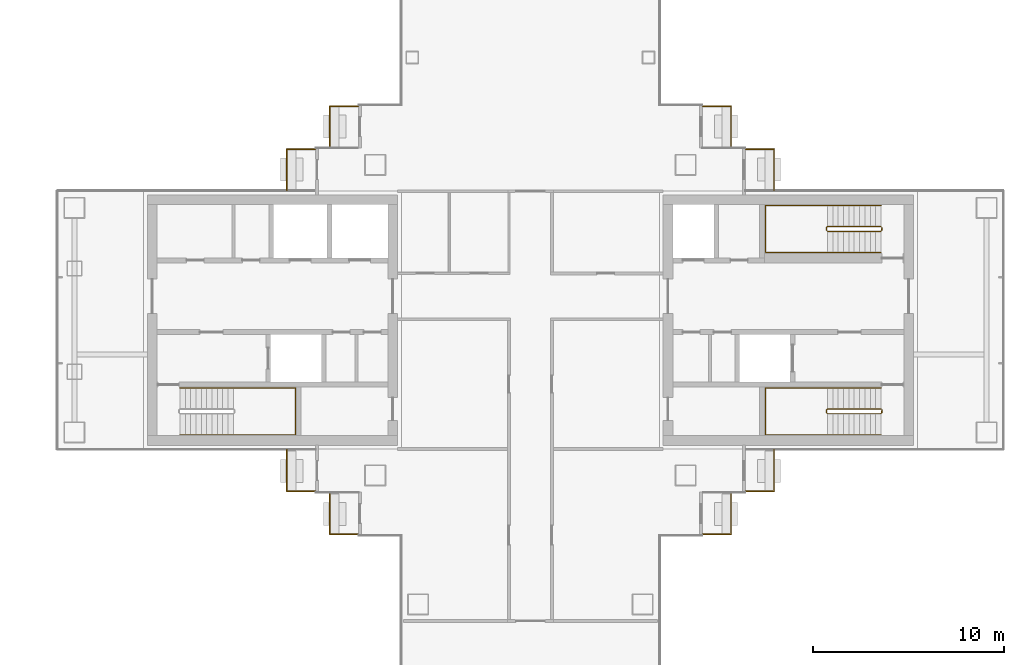
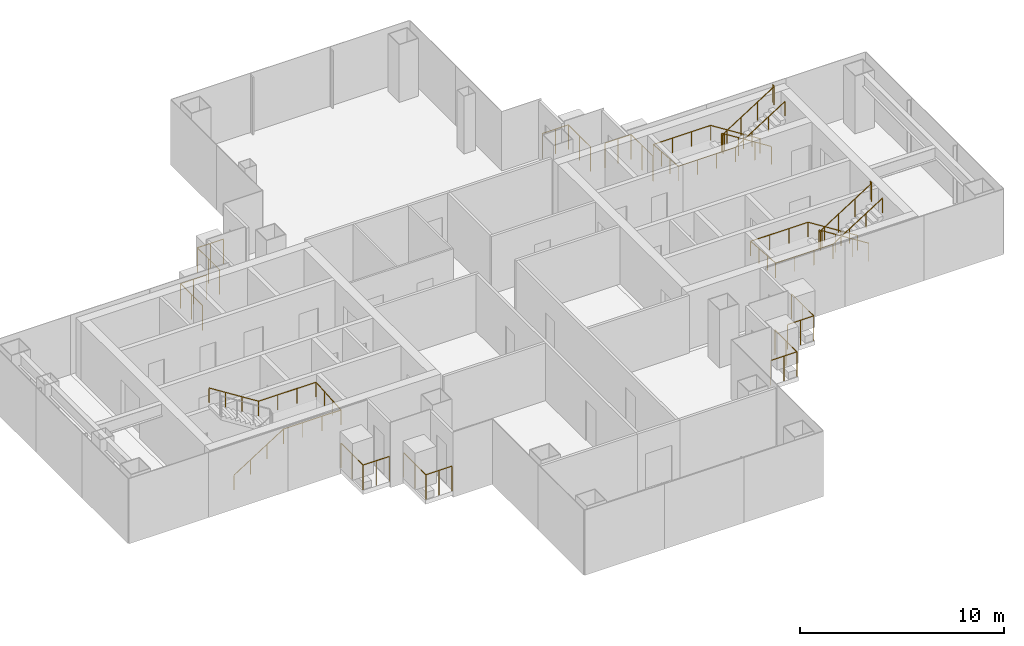
# One storey, part 16 of 17: 13 railings.
"""IFC4 building model written with IfcOpenShell, lengths in metres."""

from ifc_helpers import new_model, si_unit, direction, frame, origin, origin_2d, place, context, subcontext, project, spatial, circle, extrude, material, type_object, element, save


model = new_model("IFC4")

# Units and contexts
model_context = context("Model", 3, precision=1e-05, world=origin(), true_north=direction((0.0, 1.0)))
body_context = subcontext(model_context, "Body", "Model", "MODEL_VIEW")
ifc_project = project(units=[si_unit("LENGTHUNIT", "METRE"), si_unit("AREAUNIT", "SQUARE_METRE"), si_unit("VOLUMEUNIT", "CUBIC_METRE"), si_unit("PLANEANGLEUNIT", "RADIAN"), si_unit("MASSUNIT", "GRAM", prefix="KILO")], contexts=[model_context])

# Site, building, storey
site_placement = place(None, origin())
site = spatial("IfcSite", under=ifc_project, at=site_placement, CompositionType="ELEMENT")
building_placement = place(site_placement, origin())
building = spatial("IfcBuilding", under=site, at=building_placement, Name="Shamsa Quay Exchange Towers", CompositionType="ELEMENT")
storey_placement = place(building_placement, frame((0.0, 0.0, 174.0)))
storey = spatial("IfcBuildingStorey", under=building, at=storey_placement, Name="L41", CompositionType="ELEMENT", Elevation=174.0)

# Railings
ifc_material_1 = material(Name="Steel S355, black powder-coated", Category="steel")
railing_type_1 = type_object("IfcRailingType", Name="BALCONY GUARD 1500", PredefinedType="GUARDRAIL", material=ifc_material_1)
for number, where, name in (
    (1, (24.72900390625, 11.199951171875, 0.0), "Balcony guard T2-PKEN L41"),
    (2, (22.47900390625, 8.949951171875, 0.0), "Balcony guard T2-PKEN L41"),
):
    element("IfcRailing", number, at=place(storey_placement, frame(where)), inside=storey, type_object=railing_type_1, Name=name, PredefinedType="GUARDRAIL", context=body_context, shape_type="SweptSolid", body=[
        extrude(circle(Radius=0.02392578125, at=origin_2d()), frame((0.0, 0.0, 1.47607421875), z_axis=(-1.0, 0.0, 0.0), x_axis=(0.0, -1.0, 0.0)), (0.0, 0.0, 1.0), 1.47900390625),
        extrude(circle(Radius=0.02392578125, at=origin_2d()), frame((-1.47900390625, 0.0, 1.47607421875), z_axis=(0.0, -1.0, 0.0), x_axis=(1.0, 0.0, 0.0)), (0.0, 0.0, 1.0), 2.161865234375),
        extrude(circle(Radius=0.02099609375, at=origin_2d()), origin(), (0.0, 0.0, 1.0), 1.451904296875),
        extrude(circle(Radius=0.02099609375, at=origin_2d()), frame((-0.739501953125, 0.0, 0.0)), (0.0, 0.0, 1.0), 1.451904296875),
        extrude(circle(Radius=0.02099609375, at=origin_2d()), frame((-1.47900390625, 0.0, 0.0)), (0.0, 0.0, 1.0), 1.451904296875),
        extrude(circle(Radius=0.02099609375, at=origin_2d()), frame((-1.47900390625, -1.0810546875, 0.0)), (0.0, 0.0, 1.0), 1.451904296875),
        extrude(circle(Radius=0.02099609375, at=origin_2d()), frame((-1.47900390625, -2.161865234375, 0.0)), (0.0, 0.0, 1.0), 1.451904296875),
    ])
for number, where, name in (
    (3, (44.25, 9.0380859375, 0.0), "Balcony guard T2-PKES L41"),
    (4, (46.5, 6.7880859375, 0.0), "Balcony guard T2-PKES L41"),
):
    element("IfcRailing", number, at=place(storey_placement, frame(where)), inside=storey, type_object=railing_type_1, Name=name, PredefinedType="GUARDRAIL", context=body_context, shape_type="SweptSolid", body=[
        extrude(circle(Radius=0.02392578125, at=origin_2d()), frame((0.0, 0.0, 1.47607421875), z_axis=(0.0, 1.0, 0.0), x_axis=(-1.0, 0.0, 0.0)), (0.0, 0.0, 1.0), 2.161865234375),
        extrude(circle(Radius=0.02392578125, at=origin_2d()), frame((0.0, 2.161865234375, 1.47607421875), z_axis=(-1.0, 0.0, 0.0), x_axis=(0.0, -1.0, 0.0)), (0.0, 0.0, 1.0), 1.47900390625),
        extrude(circle(Radius=0.02099609375, at=origin_2d()), origin(), (0.0, 0.0, 1.0), 1.451904296875),
        extrude(circle(Radius=0.02099609375, at=origin_2d()), frame((0.0, 1.0810546875, 0.0)), (0.0, 0.0, 1.0), 1.451904296875),
        extrude(circle(Radius=0.02099609375, at=origin_2d()), frame((0.0, 2.161865234375, 0.0)), (0.0, 0.0, 1.0), 1.451904296875),
        extrude(circle(Radius=0.02099609375, at=origin_2d()), frame((-0.739501953125, 2.161865234375, 0.0)), (0.0, 0.0, 1.0), 1.451904296875),
        extrude(circle(Radius=0.02099609375, at=origin_2d()), frame((-1.47900390625, 2.161865234375, 0.0)), (0.0, 0.0, 1.0), 1.451904296875),
    ])
for number, where, name in (
    (5, (21.0, -6.7880859375, 0.0), "Balcony guard T2-PKWN L41"),
    (6, (23.25, -9.0380859375, 0.0), "Balcony guard T2-PKWN L41"),
):
    element("IfcRailing", number, at=place(storey_placement, frame(where)), inside=storey, type_object=railing_type_1, Name=name, PredefinedType="GUARDRAIL", context=body_context, shape_type="SweptSolid", body=[
        extrude(circle(Radius=0.02392578125, at=origin_2d()), frame((0.0, 0.0, 1.47607421875), z_axis=(0.0, -1.0, 0.0), x_axis=(1.0, 0.0, 0.0)), (0.0, 0.0, 1.0), 2.161865234375),
        extrude(circle(Radius=0.02392578125, at=origin_2d()), frame((0.0, -2.161865234375, 1.47607421875), z_axis=(1.0, 0.0, 0.0), x_axis=(0.0, 1.0, 0.0)), (0.0, 0.0, 1.0), 1.47900390625),
        extrude(circle(Radius=0.02099609375, at=origin_2d()), origin(), (0.0, 0.0, 1.0), 1.451904296875),
        extrude(circle(Radius=0.02099609375, at=origin_2d()), frame((0.0, -1.0810546875, 0.0)), (0.0, 0.0, 1.0), 1.451904296875),
        extrude(circle(Radius=0.02099609375, at=origin_2d()), frame((0.0, -2.161865234375, 0.0)), (0.0, 0.0, 1.0), 1.451904296875),
        extrude(circle(Radius=0.02099609375, at=origin_2d()), frame((0.739501953125, -2.161865234375, 0.0)), (0.0, 0.0, 1.0), 1.451904296875),
        extrude(circle(Radius=0.02099609375, at=origin_2d()), frame((1.47900390625, -2.161865234375, 0.0)), (0.0, 0.0, 1.0), 1.451904296875),
    ])
for number, where, name in (
    (7, (42.77099609375, -11.199951171875, 0.0), "Balcony guard T2-PKWS L41"),
    (8, (45.02099609375, -8.949951171875, 0.0), "Balcony guard T2-PKWS L41"),
):
    element("IfcRailing", number, at=place(storey_placement, frame(where)), inside=storey, type_object=railing_type_1, Name=name, PredefinedType="GUARDRAIL", context=body_context, shape_type="SweptSolid", body=[
        extrude(circle(Radius=0.02392578125, at=origin_2d()), frame((0.0, 0.0, 1.47607421875), z_axis=(1.0, 0.0, 0.0), x_axis=(0.0, 1.0, 0.0)), (0.0, 0.0, 1.0), 1.47900390625),
        extrude(circle(Radius=0.02392578125, at=origin_2d()), frame((1.47900390625, 0.0, 1.47607421875), z_axis=(0.0, 1.0, 0.0), x_axis=(-1.0, 0.0, 0.0)), (0.0, 0.0, 1.0), 2.161865234375),
        extrude(circle(Radius=0.02099609375, at=origin_2d()), origin(), (0.0, 0.0, 1.0), 1.451904296875),
        extrude(circle(Radius=0.02099609375, at=origin_2d()), frame((0.739501953125, 0.0, 0.0)), (0.0, 0.0, 1.0), 1.451904296875),
        extrude(circle(Radius=0.02099609375, at=origin_2d()), frame((1.47900390625, 0.0, 0.0)), (0.0, 0.0, 1.0), 1.451904296875),
        extrude(circle(Radius=0.02099609375, at=origin_2d()), frame((1.47900390625, 1.0810546875, 0.0)), (0.0, 0.0, 1.0), 1.451904296875),
        extrude(circle(Radius=0.02099609375, at=origin_2d()), frame((1.47900390625, 2.161865234375, 0.0)), (0.0, 0.0, 1.0), 1.451904296875),
    ])
ifc_material_2 = material(Name="Stainless steel", Category="steel")
railing_type_2 = type_object("IfcRailingType", Name="STAIR GUARD 1100", PredefinedType="GUARDRAIL", material=ifc_material_2)
railing_1_placement = place(storey_placement, frame((52.10009765625, -4.64990234375, 0.17724609375)))
element("IfcRailing", 9, at=railing_1_placement, inside=storey, type_object=railing_type_2, Name="L41 ST5 stair guard 1", PredefinedType="GUARDRAIL", context=body_context, shape_type="SweptSolid", body=[
    extrude(circle(Radius=0.02392578125, at=origin_2d()), frame((0.0, 0.0, 1.076171875), z_axis=(-0.844908973607, 0.0, 0.534910110503), x_axis=(0.0, -1.0, 0.0)), (0.0, 0.0, 1.0), 3.31396484375),
    extrude(circle(Radius=0.02392578125, at=origin_2d()), frame((-2.800048828125, 0.0, 2.8486328125), z_axis=(-0.707106781187, -0.707106781187, 0.0), x_axis=(0.707106781187, -0.707106781187, 0.0)), (0.0, 0.0, 1.0), 0.07080078125),
    extrude(circle(Radius=0.02392578125, at=origin_2d()), frame((-2.85009765625, -0.050048828125, 2.8486328125), z_axis=(0.0, -1.0, 0.0), x_axis=(1.0, 0.0, 0.0)), (0.0, 0.0, 1.0), 0.150146484375),
    extrude(circle(Radius=0.02392578125, at=origin_2d()), frame((-2.85009765625, -0.2001953125, 2.8486328125), z_axis=(0.262321481514, -0.261041864531, 0.929001929653), x_axis=(0.705375805398, 0.708833529934, 0.0)), (0.0, 0.0, 1.0), 0.190673828125),
    extrude(circle(Radius=0.02392578125, at=origin_2d()), frame((-2.800048828125, -0.25, 3.02587890625), z_axis=(0.844908973607, 0.0, 0.534910110503), x_axis=(0.0, 1.0, 0.0)), (0.0, 0.0, 1.0), 3.31396484375),
    extrude(circle(Radius=0.02392578125, at=origin_2d()), frame((0.0, -0.25, 4.798828125), z_axis=(0.241699205484, 0.970351222016, 0.0), x_axis=(-0.970351222016, 0.241699205484, 0.0)), (0.0, 0.0, 1.0), 0.2060546875),
    extrude(circle(Radius=0.02392578125, at=origin_2d()), frame((0.0498046875, -0.050048828125, 4.798828125), z_axis=(0.0, -1.0, 0.0), x_axis=(1.0, 0.0, 0.0)), (0.0, 0.0, 1.0), 0.150146484375),
    extrude(circle(Radius=0.02099609375, at=origin_2d()), origin(), (0.0, 0.0, 1.0), 1.052001953125),
    extrude(circle(Radius=0.02099609375, at=origin_2d()), frame((-0.933349609375, 0.0, 0.5908203125)), (0.0, 0.0, 1.0), 1.052001953125),
    extrude(circle(Radius=0.02099609375, at=origin_2d()), frame((-1.86669921875, 0.0, 1.181884765625)), (0.0, 0.0, 1.0), 1.052001953125),
    extrude(circle(Radius=0.02099609375, at=origin_2d()), frame((-2.800048828125, 0.0, 1.772705078125)), (0.0, 0.0, 1.0), 1.052001953125),
    extrude(circle(Radius=0.02099609375, at=origin_2d()), frame((-2.85009765625, -0.050048828125, 1.772705078125)), (0.0, 0.0, 1.0), 1.052001953125),
    extrude(circle(Radius=0.02099609375, at=origin_2d()), frame((-2.85009765625, -0.2001953125, 1.772705078125)), (0.0, 0.0, 1.0), 1.052001953125),
    extrude(circle(Radius=0.02099609375, at=origin_2d()), frame((-2.800048828125, -0.25, 1.949951171875)), (0.0, 0.0, 1.0), 1.052001953125),
    extrude(circle(Radius=0.02099609375, at=origin_2d()), frame((-1.86669921875, -0.25, 2.540771484375)), (0.0, 0.0, 1.0), 1.052001953125),
    extrude(circle(Radius=0.02099609375, at=origin_2d()), frame((-0.933349609375, -0.25, 3.1318359375)), (0.0, 0.0, 1.0), 1.052001953125),
    extrude(circle(Radius=0.02099609375, at=origin_2d()), frame((0.0, -0.25, 3.72265625)), (0.0, 0.0, 1.0), 1.052001953125),
    extrude(circle(Radius=0.02099609375, at=origin_2d()), frame((0.0498046875, -0.050048828125, 3.72265625)), (0.0, 0.0, 1.0), 1.052001953125),
    extrude(circle(Radius=0.02099609375, at=origin_2d()), frame((0.0498046875, -0.2001953125, 3.72265625)), (0.0, 0.0, 1.0), 1.052001953125),
])
railing_2_placement = place(storey_placement, frame((52.10009765625, 4.89990234375, 0.17724609375)))
element("IfcRailing", 10, at=railing_2_placement, inside=storey, type_object=railing_type_2, Name="L41 ST6 stair guard 1", PredefinedType="GUARDRAIL", context=body_context, shape_type="SweptSolid", body=[
    extrude(circle(Radius=0.02392578125, at=origin_2d()), frame((0.0, 0.0, 1.076171875), z_axis=(-0.844908973607, 0.0, 0.534910110503), x_axis=(0.0, -1.0, 0.0)), (0.0, 0.0, 1.0), 3.31396484375),
    extrude(circle(Radius=0.02392578125, at=origin_2d()), frame((-2.800048828125, 0.0, 2.8486328125), z_axis=(-0.708833529934, -0.705375805398, 0.0), x_axis=(0.705375805398, -0.708833529934, 0.0)), (0.0, 0.0, 1.0), 0.070556640625),
    extrude(circle(Radius=0.02392578125, at=origin_2d()), frame((-2.85009765625, -0.0498046875, 2.8486328125), z_axis=(0.0, -1.0, 0.0), x_axis=(1.0, 0.0, 0.0)), (0.0, 0.0, 1.0), 0.150146484375),
    extrude(circle(Radius=0.02392578125, at=origin_2d()), frame((-2.85009765625, -0.199951171875, 2.8486328125), z_axis=(0.262233686654, -0.262233686654, 0.928691007369), x_axis=(0.707106781187, 0.707106781187, 0.0)), (0.0, 0.0, 1.0), 0.19091796875),
    extrude(circle(Radius=0.02392578125, at=origin_2d()), frame((-2.800048828125, -0.25, 3.02587890625), z_axis=(0.844908973607, 0.0, 0.534910110503), x_axis=(0.0, 1.0, 0.0)), (0.0, 0.0, 1.0), 3.31396484375),
    extrude(circle(Radius=0.02392578125, at=origin_2d()), frame((0.0, -0.25, 4.798828125), z_axis=(0.24142163986, 0.970420317083, 0.0), x_axis=(-0.970420317083, 0.24142163986, 0.0)), (0.0, 0.0, 1.0), 0.206298828125),
    extrude(circle(Radius=0.02392578125, at=origin_2d()), frame((0.0498046875, -0.0498046875, 4.798828125), z_axis=(0.0, -1.0, 0.0), x_axis=(1.0, 0.0, 0.0)), (0.0, 0.0, 1.0), 0.150146484375),
    extrude(circle(Radius=0.02099609375, at=origin_2d()), origin(), (0.0, 0.0, 1.0), 1.052001953125),
    extrude(circle(Radius=0.02099609375, at=origin_2d()), frame((-0.933349609375, 0.0, 0.5908203125)), (0.0, 0.0, 1.0), 1.052001953125),
    extrude(circle(Radius=0.02099609375, at=origin_2d()), frame((-1.86669921875, 0.0, 1.181884765625)), (0.0, 0.0, 1.0), 1.052001953125),
    extrude(circle(Radius=0.02099609375, at=origin_2d()), frame((-2.800048828125, 0.0, 1.772705078125)), (0.0, 0.0, 1.0), 1.052001953125),
    extrude(circle(Radius=0.02099609375, at=origin_2d()), frame((-2.85009765625, -0.0498046875, 1.772705078125)), (0.0, 0.0, 1.0), 1.052001953125),
    extrude(circle(Radius=0.02099609375, at=origin_2d()), frame((-2.85009765625, -0.199951171875, 1.772705078125)), (0.0, 0.0, 1.0), 1.052001953125),
    extrude(circle(Radius=0.02099609375, at=origin_2d()), frame((-2.800048828125, -0.25, 1.949951171875)), (0.0, 0.0, 1.0), 1.052001953125),
    extrude(circle(Radius=0.02099609375, at=origin_2d()), frame((-1.86669921875, -0.25, 2.540771484375)), (0.0, 0.0, 1.0), 1.052001953125),
    extrude(circle(Radius=0.02099609375, at=origin_2d()), frame((-0.933349609375, -0.25, 3.1318359375)), (0.0, 0.0, 1.0), 1.052001953125),
    extrude(circle(Radius=0.02099609375, at=origin_2d()), frame((0.0, -0.25, 3.72265625)), (0.0, 0.0, 1.0), 1.052001953125),
    extrude(circle(Radius=0.02099609375, at=origin_2d()), frame((0.0498046875, -0.0498046875, 3.72265625)), (0.0, 0.0, 1.0), 1.052001953125),
    extrude(circle(Radius=0.02099609375, at=origin_2d()), frame((0.0498046875, -0.199951171875, 3.72265625)), (0.0, 0.0, 1.0), 1.052001953125),
])
railing_type_3 = type_object("IfcRailingType", Name="STAIR HANDRAIL 900", PredefinedType="HANDRAIL", material=ifc_material_2)
railing_3_placement = place(storey_placement, frame((15.39990234375, -6.0, 0.17724609375)))
element("IfcRailing", 11, at=railing_3_placement, inside=storey, type_object=railing_type_3, Name="L41 ST4 stair handrail 1", PredefinedType="HANDRAIL", context=body_context, shape_type="SweptSolid", body=[
    extrude(circle(Radius=0.02392578125, at=origin_2d()), frame((0.0, 0.0, 0.8759765625), z_axis=(0.844908973607, 0.0, 0.534910110503), x_axis=(0.0, 1.0, 0.0)), (0.0, 0.0, 1.0), 3.31396484375),
    extrude(circle(Radius=0.02392578125, at=origin_2d()), frame((2.800048828125, 0.0, 2.6484375), z_axis=(1.0, 0.0, 0.0), x_axis=(0.0, 1.0, 0.0)), (0.0, 0.0, 1.0), 3.25),
    extrude(circle(Radius=0.02392578125, at=origin_2d()), frame((6.050048828125, 0.0, 2.6484375), z_axis=(0.0, 0.997393199914, 0.07215819264), x_axis=(-1.0, 0.0, 0.0)), (0.0, 0.0, 1.0), 2.456298828125),
    extrude(circle(Radius=0.02392578125, at=origin_2d()), frame((6.050048828125, 2.449951171875, 2.82568359375), z_axis=(-1.0, 0.0, 0.0), x_axis=(0.0, -1.0, 0.0)), (0.0, 0.0, 1.0), 3.25),
    extrude(circle(Radius=0.02392578125, at=origin_2d()), frame((2.800048828125, 2.449951171875, 2.82568359375), z_axis=(-0.844908973607, 0.0, 0.534910110503), x_axis=(0.0, -1.0, 0.0)), (0.0, 0.0, 1.0), 3.31396484375),
    extrude(circle(Radius=0.02099609375, at=origin_2d()), origin(), (0.0, 0.0, 1.0), 0.851806640625),
    extrude(circle(Radius=0.02099609375, at=origin_2d()), frame((0.933349609375, 0.0, 0.5908203125)), (0.0, 0.0, 1.0), 0.851806640625),
    extrude(circle(Radius=0.02099609375, at=origin_2d()), frame((1.86669921875, 0.0, 1.181884765625)), (0.0, 0.0, 1.0), 0.851806640625),
    extrude(circle(Radius=0.02099609375, at=origin_2d()), frame((2.800048828125, 0.0, 1.772705078125)), (0.0, 0.0, 1.0), 0.851806640625),
    extrude(circle(Radius=0.02099609375, at=origin_2d()), frame((3.88330078125, 0.0, 1.772705078125)), (0.0, 0.0, 1.0), 0.851806640625),
    extrude(circle(Radius=0.02099609375, at=origin_2d()), frame((4.966796875, 0.0, 1.772705078125)), (0.0, 0.0, 1.0), 0.851806640625),
    extrude(circle(Radius=0.02099609375, at=origin_2d()), frame((6.050048828125, 0.0, 1.772705078125)), (0.0, 0.0, 1.0), 0.851806640625),
    extrude(circle(Radius=0.02099609375, at=origin_2d()), frame((6.050048828125, 0.816650390625, 1.831787109375)), (0.0, 0.0, 1.0), 0.851806640625),
    extrude(circle(Radius=0.02099609375, at=origin_2d()), frame((6.050048828125, 1.63330078125, 1.890869140625)), (0.0, 0.0, 1.0), 0.851806640625),
    extrude(circle(Radius=0.02099609375, at=origin_2d()), frame((6.050048828125, 2.449951171875, 1.949951171875)), (0.0, 0.0, 1.0), 0.851806640625),
    extrude(circle(Radius=0.02099609375, at=origin_2d()), frame((4.966796875, 2.449951171875, 1.949951171875)), (0.0, 0.0, 1.0), 0.851806640625),
    extrude(circle(Radius=0.02099609375, at=origin_2d()), frame((3.88330078125, 2.449951171875, 1.949951171875)), (0.0, 0.0, 1.0), 0.851806640625),
    extrude(circle(Radius=0.02099609375, at=origin_2d()), frame((2.800048828125, 2.449951171875, 1.949951171875)), (0.0, 0.0, 1.0), 0.851806640625),
    extrude(circle(Radius=0.02099609375, at=origin_2d()), frame((1.86669921875, 2.449951171875, 2.540771484375)), (0.0, 0.0, 1.0), 0.851806640625),
    extrude(circle(Radius=0.02099609375, at=origin_2d()), frame((0.933349609375, 2.449951171875, 3.1318359375)), (0.0, 0.0, 1.0), 0.851806640625),
    extrude(circle(Radius=0.02099609375, at=origin_2d()), frame((0.0, 2.449951171875, 3.72265625)), (0.0, 0.0, 1.0), 0.851806640625),
])
railing_4_placement = place(storey_placement, frame((52.10009765625, -3.550048828125, 0.17724609375)))
element("IfcRailing", 12, at=railing_4_placement, inside=storey, type_object=railing_type_3, Name="L41 ST5 stair handrail 1", PredefinedType="HANDRAIL", context=body_context, shape_type="SweptSolid", body=[
    extrude(circle(Radius=0.02392578125, at=origin_2d()), frame((0.0, 0.0, 0.8759765625), z_axis=(-0.844908973607, 0.0, 0.534910110503), x_axis=(0.0, -1.0, 0.0)), (0.0, 0.0, 1.0), 3.31396484375),
    extrude(circle(Radius=0.02392578125, at=origin_2d()), frame((-2.800048828125, 0.0, 2.6484375), z_axis=(-1.0, 0.0, 0.0), x_axis=(0.0, -1.0, 0.0)), (0.0, 0.0, 1.0), 3.25),
    extrude(circle(Radius=0.02392578125, at=origin_2d()), frame((-6.050048828125, 0.0, 2.6484375), z_axis=(0.0, -0.997393199914, 0.07215819264), x_axis=(1.0, 0.0, 0.0)), (0.0, 0.0, 1.0), 2.456298828125),
    extrude(circle(Radius=0.02392578125, at=origin_2d()), frame((-6.050048828125, -2.449951171875, 2.82568359375), z_axis=(1.0, 0.0, 0.0), x_axis=(0.0, 1.0, 0.0)), (0.0, 0.0, 1.0), 3.25),
    extrude(circle(Radius=0.02392578125, at=origin_2d()), frame((-2.800048828125, -2.449951171875, 2.82568359375), z_axis=(0.844908973607, 0.0, 0.534910110503), x_axis=(0.0, 1.0, 0.0)), (0.0, 0.0, 1.0), 3.31396484375),
    extrude(circle(Radius=0.02099609375, at=origin_2d()), origin(), (0.0, 0.0, 1.0), 0.851806640625),
    extrude(circle(Radius=0.02099609375, at=origin_2d()), frame((-0.933349609375, 0.0, 0.5908203125)), (0.0, 0.0, 1.0), 0.851806640625),
    extrude(circle(Radius=0.02099609375, at=origin_2d()), frame((-1.86669921875, 0.0, 1.181884765625)), (0.0, 0.0, 1.0), 0.851806640625),
    extrude(circle(Radius=0.02099609375, at=origin_2d()), frame((-2.800048828125, 0.0, 1.772705078125)), (0.0, 0.0, 1.0), 0.851806640625),
    extrude(circle(Radius=0.02099609375, at=origin_2d()), frame((-3.88330078125, 0.0, 1.772705078125)), (0.0, 0.0, 1.0), 0.851806640625),
    extrude(circle(Radius=0.02099609375, at=origin_2d()), frame((-4.966796875, 0.0, 1.772705078125)), (0.0, 0.0, 1.0), 0.851806640625),
    extrude(circle(Radius=0.02099609375, at=origin_2d()), frame((-6.050048828125, 0.0, 1.772705078125)), (0.0, 0.0, 1.0), 0.851806640625),
    extrude(circle(Radius=0.02099609375, at=origin_2d()), frame((-6.050048828125, -0.816650390625, 1.831787109375)), (0.0, 0.0, 1.0), 0.851806640625),
    extrude(circle(Radius=0.02099609375, at=origin_2d()), frame((-6.050048828125, -1.63330078125, 1.890869140625)), (0.0, 0.0, 1.0), 0.851806640625),
    extrude(circle(Radius=0.02099609375, at=origin_2d()), frame((-6.050048828125, -2.449951171875, 1.949951171875)), (0.0, 0.0, 1.0), 0.851806640625),
    extrude(circle(Radius=0.02099609375, at=origin_2d()), frame((-4.966796875, -2.449951171875, 1.949951171875)), (0.0, 0.0, 1.0), 0.851806640625),
    extrude(circle(Radius=0.02099609375, at=origin_2d()), frame((-3.88330078125, -2.449951171875, 1.949951171875)), (0.0, 0.0, 1.0), 0.851806640625),
    extrude(circle(Radius=0.02099609375, at=origin_2d()), frame((-2.800048828125, -2.449951171875, 1.949951171875)), (0.0, 0.0, 1.0), 0.851806640625),
    extrude(circle(Radius=0.02099609375, at=origin_2d()), frame((-1.86669921875, -2.449951171875, 2.540771484375)), (0.0, 0.0, 1.0), 0.851806640625),
    extrude(circle(Radius=0.02099609375, at=origin_2d()), frame((-0.933349609375, -2.449951171875, 3.1318359375)), (0.0, 0.0, 1.0), 0.851806640625),
    extrude(circle(Radius=0.02099609375, at=origin_2d()), frame((0.0, -2.449951171875, 3.72265625)), (0.0, 0.0, 1.0), 0.851806640625),
])
railing_5_placement = place(storey_placement, frame((52.10009765625, 6.0, 0.17724609375)))
element("IfcRailing", 13, at=railing_5_placement, inside=storey, type_object=railing_type_3, Name="L41 ST6 stair handrail 1", PredefinedType="HANDRAIL", context=body_context, shape_type="SweptSolid", body=[
    extrude(circle(Radius=0.02392578125, at=origin_2d()), frame((0.0, 0.0, 0.8759765625), z_axis=(-0.844908973607, 0.0, 0.534910110503), x_axis=(0.0, -1.0, 0.0)), (0.0, 0.0, 1.0), 3.31396484375),
    extrude(circle(Radius=0.02392578125, at=origin_2d()), frame((-2.800048828125, 0.0, 2.6484375), z_axis=(-1.0, 0.0, 0.0), x_axis=(0.0, -1.0, 0.0)), (0.0, 0.0, 1.0), 3.25),
    extrude(circle(Radius=0.02392578125, at=origin_2d()), frame((-6.050048828125, 0.0, 2.6484375), z_axis=(0.0, -0.997393199914, 0.07215819264), x_axis=(1.0, 0.0, 0.0)), (0.0, 0.0, 1.0), 2.456298828125),
    extrude(circle(Radius=0.02392578125, at=origin_2d()), frame((-6.050048828125, -2.449951171875, 2.82568359375), z_axis=(1.0, 0.0, 0.0), x_axis=(0.0, 1.0, 0.0)), (0.0, 0.0, 1.0), 3.25),
    extrude(circle(Radius=0.02392578125, at=origin_2d()), frame((-2.800048828125, -2.449951171875, 2.82568359375), z_axis=(0.844908973607, 0.0, 0.534910110503), x_axis=(0.0, 1.0, 0.0)), (0.0, 0.0, 1.0), 3.31396484375),
    extrude(circle(Radius=0.02099609375, at=origin_2d()), origin(), (0.0, 0.0, 1.0), 0.851806640625),
    extrude(circle(Radius=0.02099609375, at=origin_2d()), frame((-0.933349609375, 0.0, 0.5908203125)), (0.0, 0.0, 1.0), 0.851806640625),
    extrude(circle(Radius=0.02099609375, at=origin_2d()), frame((-1.86669921875, 0.0, 1.181884765625)), (0.0, 0.0, 1.0), 0.851806640625),
    extrude(circle(Radius=0.02099609375, at=origin_2d()), frame((-2.800048828125, 0.0, 1.772705078125)), (0.0, 0.0, 1.0), 0.851806640625),
    extrude(circle(Radius=0.02099609375, at=origin_2d()), frame((-3.88330078125, 0.0, 1.772705078125)), (0.0, 0.0, 1.0), 0.851806640625),
    extrude(circle(Radius=0.02099609375, at=origin_2d()), frame((-4.966796875, 0.0, 1.772705078125)), (0.0, 0.0, 1.0), 0.851806640625),
    extrude(circle(Radius=0.02099609375, at=origin_2d()), frame((-6.050048828125, 0.0, 1.772705078125)), (0.0, 0.0, 1.0), 0.851806640625),
    extrude(circle(Radius=0.02099609375, at=origin_2d()), frame((-6.050048828125, -0.816650390625, 1.831787109375)), (0.0, 0.0, 1.0), 0.851806640625),
    extrude(circle(Radius=0.02099609375, at=origin_2d()), frame((-6.050048828125, -1.63330078125, 1.890869140625)), (0.0, 0.0, 1.0), 0.851806640625),
    extrude(circle(Radius=0.02099609375, at=origin_2d()), frame((-6.050048828125, -2.449951171875, 1.949951171875)), (0.0, 0.0, 1.0), 0.851806640625),
    extrude(circle(Radius=0.02099609375, at=origin_2d()), frame((-4.966796875, -2.449951171875, 1.949951171875)), (0.0, 0.0, 1.0), 0.851806640625),
    extrude(circle(Radius=0.02099609375, at=origin_2d()), frame((-3.88330078125, -2.449951171875, 1.949951171875)), (0.0, 0.0, 1.0), 0.851806640625),
    extrude(circle(Radius=0.02099609375, at=origin_2d()), frame((-2.800048828125, -2.449951171875, 1.949951171875)), (0.0, 0.0, 1.0), 0.851806640625),
    extrude(circle(Radius=0.02099609375, at=origin_2d()), frame((-1.86669921875, -2.449951171875, 2.540771484375)), (0.0, 0.0, 1.0), 0.851806640625),
    extrude(circle(Radius=0.02099609375, at=origin_2d()), frame((-0.933349609375, -2.449951171875, 3.1318359375)), (0.0, 0.0, 1.0), 0.851806640625),
    extrude(circle(Radius=0.02099609375, at=origin_2d()), frame((0.0, -2.449951171875, 3.72265625)), (0.0, 0.0, 1.0), 0.851806640625),
])

save(model, "model.ifc")
